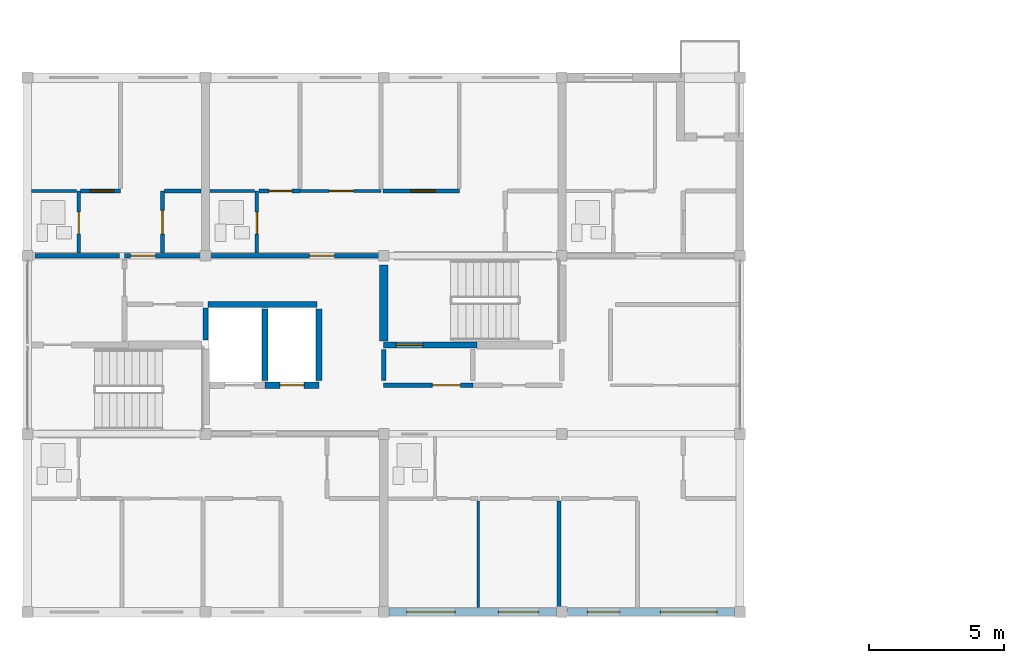
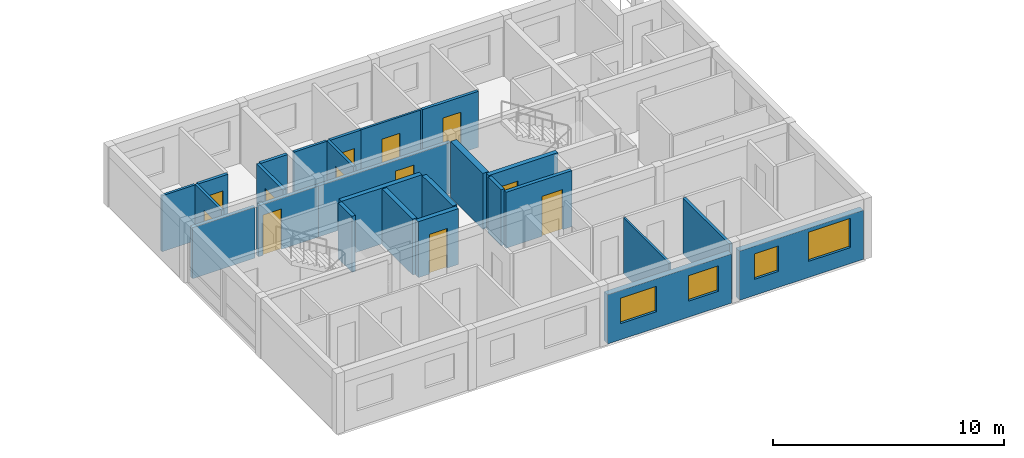
# One storey, part 25 of 45: 26 walls, 12 doors, 4 windows, 16 openings.
"""IFC4 building model written with IfcOpenShell, lengths in metres."""

from ifc_helpers import new_model, si_unit, direction, frame, frame_2d, origin, place, context, subcontext, project, spatial, rectangle, extrude, material, layer, layer_set, type_object, element, fill, save


model = new_model("IFC4")

# Units and contexts
model_context = context("Model", 3, precision=1e-05, world=origin(), true_north=direction((0.0, 1.0)))
body_context = subcontext(model_context, "Body", "Model", "MODEL_VIEW")
ifc_project = project(units=[si_unit("LENGTHUNIT", "METRE"), si_unit("AREAUNIT", "SQUARE_METRE"), si_unit("VOLUMEUNIT", "CUBIC_METRE"), si_unit("PLANEANGLEUNIT", "RADIAN"), si_unit("MASSUNIT", "GRAM", prefix="KILO")], contexts=[model_context])

# Site, building, storey
site_placement = place(None, origin())
site = spatial("IfcSite", under=ifc_project, at=site_placement, CompositionType="ELEMENT")
building_placement = place(site_placement, origin())
building = spatial("IfcBuilding", under=site, at=building_placement, Name="Kernevlak Ridge Housing Community", CompositionType="ELEMENT")
storey_placement = place(building_placement, frame((0.0, 0.0, 14.800048828125)))
storey = spatial("IfcBuildingStorey", under=building, at=storey_placement, Name="L04", CompositionType="ELEMENT", Elevation=14.800048828125)

# Wall, openings, windows
ifc_material_1 = material(Name="Concrete block masonry M10", Category="masonry")
ifc_layer_1 = layer(ifc_material_1, 0.300048828125, Name="Concrete block masonry M10")
ifc_layer_set_1 = layer_set([ifc_layer_1], Name="Concrete block masonry M10")
wall_type_1 = type_object("IfcWallType", Name="EW-01", PredefinedType="STANDARD", material=ifc_layer_set_1)
wall_1_placement = place(storey_placement, frame((29.0, 15.60009765625, 0.0), z_axis=(0.0, 0.0, 1.0), x_axis=(1.0, 0.0, 0.0)))
wall_1 = element("IfcWall", 1, at=wall_1_placement, inside=storey, type_object=wall_type_1, Name="Exterior wall EW-01 L04 769", PredefinedType="STANDARD", context=body_context, shape_type="SweptSolid", body=[
    extrude(rectangle(XDim=6.199951171875, YDim=0.300048828125, at=frame_2d((3.10009765625, 0.0))), origin(), (0.0, 0.0, 1.0), 2.599853515625),
])
opening_1_placement = place(wall_1_placement, frame((0.64990234375, 0.0, 0.85009765625)))
opening_1 = element("IfcOpeningElement", 2, at=opening_1_placement, cuts=wall_1, Name="Opening WT-03", PredefinedType="OPENING", context=body_context, shape_type="SweptSolid", body=[
    extrude(rectangle(XDim=1.800048828125, YDim=1.35009765625, at=frame_2d((0.89990234375, 0.675048828125))), frame((0.0, 0.159912109375, 0.0), z_axis=(0.0, -1.0, 0.0), x_axis=(1.0, 0.0, 0.0)), (0.0, 0.0, 1.0), 0.320068359375),
])
opening_2_placement = place(wall_1_placement, frame((4.050048828125, 0.0, 0.85009765625)))
opening_2 = element("IfcOpeningElement", 3, at=opening_2_placement, cuts=wall_1, Name="Opening WT-02", PredefinedType="OPENING", context=body_context, shape_type="SweptSolid", body=[
    extrude(rectangle(XDim=1.5, YDim=1.35009765625, at=frame_2d((0.75, 0.675048828125))), frame((0.0, 0.159912109375, 0.0), z_axis=(0.0, -1.0, 0.0), x_axis=(1.0, 0.0, 0.0)), (0.0, 0.0, 1.0), 0.320068359375),
])
ifc_material_2 = material(Name="Aluminium EN AW-6060 anodised and laminated glass", Category="aluminium")
window_type_1 = type_object("IfcWindowType", Name="WT-02", PartitioningType="SINGLE_PANEL", PredefinedType="WINDOW", material=ifc_material_2)
window_1_placement = place(opening_2_placement, origin())
window_1 = element("IfcWindow", 4, at=window_1_placement, inside=storey, type_object=window_type_1, Name="Window WT-02 L04 640", OverallHeight=1.35009765625, OverallWidth=1.5, PartitioningType="SINGLE_PANEL", PredefinedType="WINDOW", context=body_context, shape_type="SweptSolid", body=[
    extrude(rectangle(XDim=1.5, YDim=1.35009765625, at=frame_2d((0.75, 0.675048828125))), frame((0.0, 0.030029296875, 0.0), z_axis=(0.0, -1.0, 0.0), x_axis=(1.0, 0.0, 0.0)), (0.0, 0.0, 1.0), 0.06005859375),
])
fill(opening_2, window_1)
window_type_2 = type_object("IfcWindowType", Name="WT-03", PartitioningType="SINGLE_PANEL", PredefinedType="WINDOW", material=ifc_material_2)
window_2_placement = place(opening_1_placement, origin())
window_2 = element("IfcWindow", 5, at=window_2_placement, inside=storey, type_object=window_type_2, Name="Window WT-03 L04 639", OverallHeight=1.35009765625, OverallWidth=1.800048828125, PartitioningType="SINGLE_PANEL", PredefinedType="WINDOW", context=body_context, shape_type="SweptSolid", body=[
    extrude(rectangle(XDim=1.800048828125, YDim=1.35009765625, at=frame_2d((0.89990234375, 0.675048828125))), frame((0.0, 0.030029296875, 0.0), z_axis=(0.0, -1.0, 0.0), x_axis=(1.0, 0.0, 0.0)), (0.0, 0.0, 1.0), 0.06005859375),
])
fill(opening_1, window_2)

wall_2_placement = place(storey_placement, frame((35.60009765625, 15.60009765625, 0.0), z_axis=(0.0, 0.0, 1.0), x_axis=(1.0, 0.0, 0.0)))
wall_2 = element("IfcWall", 6, at=wall_2_placement, inside=storey, type_object=wall_type_1, Name="Exterior wall EW-01 L04 770", PredefinedType="STANDARD", context=body_context, shape_type="SweptSolid", body=[
    extrude(rectangle(XDim=6.199951171875, YDim=0.300048828125, at=frame_2d((3.10009765625, 0.0))), origin(), (0.0, 0.0, 1.0), 2.599853515625),
])
opening_3_placement = place(wall_2_placement, frame((0.75, 0.0, 0.85009765625)))
opening_3 = element("IfcOpeningElement", 7, at=opening_3_placement, cuts=wall_2, Name="Opening WT-01", PredefinedType="OPENING", context=body_context, shape_type="SweptSolid", body=[
    extrude(rectangle(XDim=1.199951171875, YDim=1.35009765625, at=frame_2d((0.60009765625, 0.675048828125))), frame((0.0, 0.159912109375, 0.0), z_axis=(0.0, -1.0, 0.0), x_axis=(1.0, 0.0, 0.0)), (0.0, 0.0, 1.0), 0.320068359375),
])
opening_4_placement = place(wall_2_placement, frame((3.449951171875, 0.0, 0.85009765625)))
opening_4 = element("IfcOpeningElement", 8, at=opening_4_placement, cuts=wall_2, Name="Opening WT-05", PredefinedType="OPENING", context=body_context, shape_type="SweptSolid", body=[
    extrude(rectangle(XDim=2.10009765625, YDim=1.550048828125, at=frame_2d((1.050048828125, 0.77490234375))), frame((0.0, 0.159912109375, 0.0), z_axis=(0.0, -1.0, 0.0), x_axis=(1.0, 0.0, 0.0)), (0.0, 0.0, 1.0), 0.320068359375),
])
window_type_3 = type_object("IfcWindowType", Name="WT-01", PartitioningType="SINGLE_PANEL", PredefinedType="WINDOW", material=ifc_material_2)
window_3_placement = place(opening_3_placement, origin())
window_3 = element("IfcWindow", 9, at=window_3_placement, inside=storey, type_object=window_type_3, Name="Window WT-01 L04 641", OverallHeight=1.35009765625, OverallWidth=1.199951171875, PartitioningType="SINGLE_PANEL", PredefinedType="WINDOW", context=body_context, shape_type="SweptSolid", body=[
    extrude(rectangle(XDim=1.199951171875, YDim=1.35009765625, at=frame_2d((0.60009765625, 0.675048828125))), frame((0.0, 0.030029296875, 0.0), z_axis=(0.0, -1.0, 0.0), x_axis=(1.0, 0.0, 0.0)), (0.0, 0.0, 1.0), 0.06005859375),
])
fill(opening_3, window_3)
window_type_4 = type_object("IfcWindowType", Name="WT-05", PartitioningType="SINGLE_PANEL", PredefinedType="WINDOW", material=ifc_material_2)
window_4_placement = place(opening_4_placement, origin())
window_4 = element("IfcWindow", 10, at=window_4_placement, inside=storey, type_object=window_type_4, Name="Window WT-05 L04 642", OverallHeight=1.550048828125, OverallWidth=2.10009765625, PartitioningType="SINGLE_PANEL", PredefinedType="WINDOW", context=body_context, shape_type="SweptSolid", body=[
    extrude(rectangle(XDim=2.10009765625, YDim=1.550048828125, at=frame_2d((1.050048828125, 0.77490234375))), frame((0.0, 0.030029296875, 0.0), z_axis=(0.0, -1.0, 0.0), x_axis=(1.0, 0.0, 0.0)), (0.0, 0.0, 1.0), 0.06005859375),
])
fill(opening_4, window_4)

# Wall, opening, door
ifc_material_3 = material(Name="Concrete C35/45", Category="concrete")
ifc_layer_2 = layer(ifc_material_3, 0.22509765625, Name="Concrete C35/45")
ifc_layer_set_2 = layer_set([ifc_layer_2], Name="Concrete C35/45")
wall_type_2 = type_object("IfcWallType", Name="PW-01", PredefinedType="STANDARD", material=ifc_layer_set_2)
wall_3_placement = place(storey_placement, frame((24.39990234375, 24.0, 0.0), z_axis=(0.0, 0.0, 1.0), x_axis=(1.0, 0.0, 0.0)))
wall_3 = element("IfcWall", 11, at=wall_3_placement, inside=storey, type_object=wall_type_2, Name="Interior wall PW-01 WAL-INT-L04-3180", PredefinedType="STANDARD", context=body_context, shape_type="SweptSolid", body=[
    extrude(rectangle(XDim=2.0, YDim=0.22509765625, at=frame_2d((1.0, 0.0))), origin(), (0.0, 0.0, 1.0), 2.9599609375),
])
opening_5_placement = place(wall_3_placement, frame((0.550048828125, 0.0, 0.0)))
opening_5 = element("IfcOpeningElement", 12, at=opening_5_placement, cuts=wall_3, Name="Opening LD87", PredefinedType="OPENING", context=body_context, shape_type="SweptSolid", body=[
    extrude(rectangle(XDim=0.89990234375, YDim=2.10009765625, at=frame_2d((0.449951171875, 1.050048828125))), frame((0.0, 0.12255859375, 0.0), z_axis=(0.0, -1.0, 0.0), x_axis=(1.0, 0.0, 0.0)), (0.0, 0.0, 1.0), 0.2451171875),
])
ifc_material_4 = material(Name="Stainless steel EN 1.4401", Category="steel")
door_type_1 = type_object("IfcDoorType", Name="DT-LD2", OperationType="DOUBLE_DOOR_SLIDING", PredefinedType="DOOR", material=ifc_material_4)
door_1_placement = place(opening_5_placement, origin())
door_1 = element("IfcDoor", 13, at=door_1_placement, inside=storey, type_object=door_type_1, Name="Lift LF-D2 landing door LD87", OperationType="DOUBLE_DOOR_SLIDING", OverallHeight=2.10009765625, OverallWidth=0.89990234375, PredefinedType="DOOR", context=body_context, shape_type="SweptSolid", body=[
    extrude(rectangle(XDim=0.89990234375, YDim=2.10009765625, at=frame_2d((0.449951171875, 1.050048828125))), frame((0.0, 0.02490234375, 0.0), z_axis=(0.0, -1.0, 0.0), x_axis=(1.0, 0.0, 0.0)), (0.0, 0.0, 1.0), 0.050048828125),
])
fill(opening_5, door_1)

# Walls
wall_4_placement = place(storey_placement, frame((22.297607421875, 27.0, 0.0), z_axis=(0.0, 0.0, 1.0), x_axis=(1.0, 0.0, 0.0)))
element("IfcWall", 14, at=wall_4_placement, inside=storey, type_object=wall_type_2, Name="Interior wall PW-01 WAL-INT-L04-3181", PredefinedType="STANDARD", context=body_context, shape_type="SweptSolid", body=[
    extrude(rectangle(XDim=4.0224609375, YDim=0.22509765625, at=frame_2d((2.01123046875, 0.0))), origin(), (0.0, 0.0, 1.0), 2.9599609375),
])
for number, where, z_axis, x_axis, name in (
    (15, (24.39990234375, 24.179931640625, 0.0), (0.0, 0.0, 1.0), (0.0, 1.0, 0.0), "Interior wall PW-01 WAL-INT-L04-3183"),
    (16, (26.39990234375, 24.179931640625, 0.0), (0.0, 0.0, 1.0), (0.0, 1.0, 0.0), "Interior wall PW-01 WAL-INT-L04-3184"),
):
    element("IfcWall", number, at=place(storey_placement, frame(where, z_axis=z_axis, x_axis=x_axis)), inside=storey, type_object=wall_type_2, Name=name, PredefinedType="STANDARD", context=body_context, shape_type="SweptSolid", body=[
        extrude(rectangle(XDim=2.64013671875, YDim=0.22509765625, at=frame_2d((1.320068359375, 0.0))), origin(), (0.0, 0.0, 1.0), 2.9599609375),
    ])

# Wall, opening, door
wall_5_placement = place(storey_placement, frame((28.800048828125, 25.5, 0.0), z_axis=(0.0, 0.0, 1.0), x_axis=(1.0, 0.0, 0.0)))
wall_5 = element("IfcWall", 17, at=wall_5_placement, inside=storey, type_object=wall_type_2, Name="Interior wall PW-01 WAL-INT-L04-3185", PredefinedType="STANDARD", context=body_context, shape_type="SweptSolid", body=[
    extrude(rectangle(XDim=3.449951171875, YDim=0.22509765625, at=frame_2d((1.72509765625, 0.0))), origin(), (0.0, 0.0, 1.0), 2.9599609375),
])
opening_6_placement = place(wall_5_placement, frame((0.449951171875, 0.0, 0.0)))
opening_6 = element("IfcOpeningElement", 18, at=opening_6_placement, cuts=wall_5, Name="Opening E614", PredefinedType="OPENING", context=body_context, shape_type="SweptSolid", body=[
    extrude(rectangle(XDim=1.0, YDim=2.159912109375, at=frame_2d((0.5, 1.080078125))), frame((0.0, 0.12255859375, 0.0), z_axis=(0.0, -1.0, 0.0), x_axis=(1.0, 0.0, 0.0)), (0.0, 0.0, 1.0), 0.2451171875),
])
ifc_material_5 = material(Name="Fire-rated sheet steel leaf", Category="steel")
door_type_2 = type_object("IfcDoorType", Name="DT-15", OperationType="NOTDEFINED", PredefinedType="DOOR", material=ifc_material_5)
door_2_placement = place(opening_6_placement, origin())
door_2 = element("IfcDoor", 19, at=door_2_placement, inside=storey, type_object=door_type_2, Name="Block D Stair 2 fire door E614", OperationType="SINGLE_SWING_LEFT", OverallHeight=2.159912109375, OverallWidth=1.0, PredefinedType="DOOR", context=body_context, shape_type="SweptSolid", body=[
    extrude(rectangle(XDim=1.0, YDim=2.159912109375, at=frame_2d((0.5, 1.080078125))), frame((0.0, 0.02490234375, 0.0), z_axis=(0.0, -1.0, 0.0), x_axis=(1.0, 0.0, 0.0)), (0.0, 0.0, 1.0), 0.050048828125),
])
fill(opening_6, door_2)

# Wall
ifc_layer_3 = layer(ifc_material_1, 0.175048828125, Name="Concrete block masonry M10")
ifc_layer_set_3 = layer_set([ifc_layer_3], Name="Concrete block masonry M10")
wall_type_3 = type_object("IfcWallType", Name="PW-02", PredefinedType="PARTITIONING", material=ifc_layer_set_3)
wall_6_placement = place(storey_placement, frame((22.199951171875, 25.679931640625, 0.0), z_axis=(0.0, 0.0, 1.0), x_axis=(0.0, 1.0, 0.0)))
element("IfcWall", 20, at=wall_6_placement, inside=storey, type_object=wall_type_3, Name="Interior wall PW-02 WAL-INT-L04-3178", PredefinedType="PARTITIONING", context=body_context, shape_type="SweptSolid", body=[
    extrude(rectangle(XDim=1.190185546875, YDim=0.175048828125, at=frame_2d((0.59521484375, 0.0))), origin(), (0.0, 0.0, 1.0), 2.9599609375),
])

# Wall, opening, door
wall_7_placement = place(storey_placement, frame((28.800048828125, 24.0, 0.0), z_axis=(0.0, 0.0, 1.0), x_axis=(1.0, 0.0, 0.0)))
wall_7 = element("IfcWall", 21, at=wall_7_placement, inside=storey, type_object=wall_type_3, Name="Interior wall PW-02 WAL-INT-L04-3186", PredefinedType="PARTITIONING", context=body_context, shape_type="SweptSolid", body=[
    extrude(rectangle(XDim=3.300048828125, YDim=0.175048828125, at=frame_2d((1.64990234375, 0.0))), origin(), (0.0, 0.0, 1.0), 2.9599609375),
])
opening_7_placement = place(wall_7_placement, frame((1.800048828125, 0.0, 0.0)))
opening_7 = element("IfcOpeningElement", 22, at=opening_7_placement, cuts=wall_7, Name="Opening E615", PredefinedType="OPENING", context=body_context, shape_type="SweptSolid", body=[
    extrude(rectangle(XDim=1.0400390625, YDim=2.1201171875, at=frame_2d((0.52001953125, 1.06005859375))), frame((0.0, 0.097412109375, 0.0), z_axis=(0.0, -1.0, 0.0), x_axis=(1.0, 0.0, 0.0)), (0.0, 0.0, 1.0), 0.195068359375),
])
door_type_3 = type_object("IfcDoorType", Name="DT-16", OperationType="NOTDEFINED", PredefinedType="DOOR", material=ifc_material_5)
door_3_placement = place(opening_7_placement, origin())
door_3 = element("IfcDoor", 23, at=door_3_placement, inside=storey, type_object=door_type_3, Name="Block D Firefighting lobby 2 door E615", OperationType="SINGLE_SWING_RIGHT", OverallHeight=2.1201171875, OverallWidth=1.0400390625, PredefinedType="DOOR", context=body_context, shape_type="SweptSolid", body=[
    extrude(rectangle(XDim=1.0400390625, YDim=2.1201171875, at=frame_2d((0.52001953125, 1.06005859375))), frame((0.0, 0.02490234375, 0.0), z_axis=(0.0, -1.0, 0.0), x_axis=(1.0, 0.0, 0.0)), (0.0, 0.0, 1.0), 0.050048828125),
])
fill(opening_7, door_3)

# Walls
wall_8_placement = place(storey_placement, frame((28.800048828125, 24.179931640625, 0.0), z_axis=(0.0, 0.0, 1.0), x_axis=(0.0, 1.0, 0.0)))
element("IfcWall", 24, at=wall_8_placement, inside=storey, type_object=wall_type_3, Name="Interior wall PW-02 WAL-INT-L04-3188", PredefinedType="PARTITIONING", context=body_context, shape_type="SweptSolid", body=[
    extrude(rectangle(XDim=1.14013671875, YDim=0.175048828125, at=frame_2d((0.570068359375, 0.0))), origin(), (0.0, 0.0, 1.0), 2.9599609375),
])
wall_9_placement = place(storey_placement, frame((15.8798828125, 28.800048828125, 0.0), z_axis=(0.0, 0.0, 1.0), x_axis=(1.0, 0.0, 0.0)))
element("IfcWall", 25, at=wall_9_placement, inside=storey, type_object=wall_type_3, Name="Interior wall PW-02 WAL-INT-L04-3216", PredefinedType="PARTITIONING", context=body_context, shape_type="SweptSolid", body=[
    extrude(rectangle(XDim=3.14013671875, YDim=0.175048828125, at=frame_2d((1.570068359375, 0.0))), origin(), (0.0, 0.0, 1.0), 2.699951171875),
])

# Wall, opening, door
wall_10_placement = place(storey_placement, frame((19.199951171875, 28.800048828125, 0.0), z_axis=(0.0, 0.0, 1.0), x_axis=(1.0, 0.0, 0.0)))
wall_10 = element("IfcWall", 26, at=wall_10_placement, inside=storey, type_object=wall_type_3, Name="Interior wall PW-02 WAL-INT-L04-3217", PredefinedType="PARTITIONING", context=body_context, shape_type="SweptSolid", body=[
    extrude(rectangle(XDim=3.0, YDim=0.175048828125, at=frame_2d((1.5, 0.0))), origin(), (0.0, 0.0, 1.0), 2.699951171875),
])
opening_8_placement = place(wall_10_placement, frame((0.219970703125, 0.0, 0.0)))
opening_8 = element("IfcOpeningElement", 27, at=opening_8_placement, cuts=wall_10, Name="Opening E630", PredefinedType="OPENING", context=body_context, shape_type="SweptSolid", body=[
    extrude(rectangle(XDim=0.919921875, YDim=2.139892578125, at=frame_2d((0.4599609375, 1.06982421875))), frame((0.0, 0.097412109375, 0.0), z_axis=(0.0, -1.0, 0.0), x_axis=(1.0, 0.0, 0.0)), (0.0, 0.0, 1.0), 0.195068359375),
])
ifc_material_6 = material(Name="Hardwood timber solid-core fire leaf", Category="wood")
door_type_4 = type_object("IfcDoorType", Name="DT-20", OperationType="NOTDEFINED", PredefinedType="DOOR", material=ifc_material_6)
door_4_placement = place(opening_8_placement, origin())
door_4 = element("IfcDoor", 28, at=door_4_placement, inside=storey, type_object=door_type_4, Name="Flat D0421 entrance fire door E630", OperationType="SINGLE_SWING_LEFT", OverallHeight=2.139892578125, OverallWidth=0.919921875, PredefinedType="DOOR", context=body_context, shape_type="SweptSolid", body=[
    extrude(rectangle(XDim=0.919921875, YDim=2.139892578125, at=frame_2d((0.4599609375, 1.06982421875))), frame((0.0, 0.02490234375, 0.0), z_axis=(0.0, -1.0, 0.0), x_axis=(1.0, 0.0, 0.0)), (0.0, 0.0, 1.0), 0.050048828125),
])
fill(opening_8, door_4)

wall_11_placement = place(storey_placement, frame((22.199951171875, 28.800048828125, 0.0), z_axis=(0.0, 0.0, 1.0), x_axis=(1.0, 0.0, 0.0)))
wall_11 = element("IfcWall", 29, at=wall_11_placement, inside=storey, type_object=wall_type_3, Name="Interior wall PW-02 WAL-INT-L04-3224", PredefinedType="PARTITIONING", context=body_context, shape_type="SweptSolid", body=[
    extrude(rectangle(XDim=6.60009765625, YDim=0.175048828125, at=frame_2d((3.300048828125, 0.0))), origin(), (0.0, 0.0, 1.0), 2.699951171875),
])
opening_9_placement = place(wall_11_placement, frame((3.85009765625, 0.0, 0.0)))
opening_9 = element("IfcOpeningElement", 30, at=opening_9_placement, cuts=wall_11, Name="Opening E634", PredefinedType="OPENING", context=body_context, shape_type="SweptSolid", body=[
    extrude(rectangle(XDim=0.919921875, YDim=2.139892578125, at=frame_2d((0.4599609375, 1.06982421875))), frame((0.0, 0.097412109375, 0.0), z_axis=(0.0, -1.0, 0.0), x_axis=(1.0, 0.0, 0.0)), (0.0, 0.0, 1.0), 0.195068359375),
])
door_5_placement = place(opening_9_placement, origin())
door_5 = element("IfcDoor", 31, at=door_5_placement, inside=storey, type_object=door_type_4, Name="Flat D0422 entrance fire door E634", OperationType="SINGLE_SWING_LEFT", OverallHeight=2.139892578125, OverallWidth=0.919921875, PredefinedType="DOOR", context=body_context, shape_type="SweptSolid", body=[
    extrude(rectangle(XDim=0.919921875, YDim=2.139892578125, at=frame_2d((0.4599609375, 1.06982421875))), frame((0.0, 0.02490234375, 0.0), z_axis=(0.0, -1.0, 0.0), x_axis=(1.0, 0.0, 0.0)), (0.0, 0.0, 1.0), 0.050048828125),
])
fill(opening_9, door_5)

# Wall
ifc_layer_4 = layer(ifc_material_1, 0.14501953125, Name="Concrete block masonry M10")
ifc_layer_set_4 = layer_set([ifc_layer_4], Name="Concrete block masonry M10")
wall_type_4 = type_object("IfcWallType", Name="PW-03", PredefinedType="PARTITIONING", material=ifc_layer_set_4)
wall_12_placement = place(storey_placement, frame((35.300048828125, 19.717529296875, 0.0), z_axis=(0.0, 0.0, 1.0), x_axis=(0.0, -1.0, 0.0)))
element("IfcWall", 32, at=wall_12_placement, inside=storey, type_object=wall_type_4, Name="Interior wall PW-03 WAL-INT-L04-3213", PredefinedType="PARTITIONING", context=body_context, shape_type="SweptSolid", body=[
    extrude(rectangle(XDim=4.03759765625, YDim=0.14501953125, at=frame_2d((2.018798828125, 0.0))), origin(), (0.0, 0.0, 1.0), 2.9599609375),
])

# Wall, opening, door
wall_13_placement = place(storey_placement, frame((17.572509765625, 31.199951171875, 0.0), z_axis=(0.0, 0.0, 1.0), x_axis=(1.0, 0.0, 0.0)))
wall_13 = element("IfcWall", 33, at=wall_13_placement, inside=storey, type_object=wall_type_4, Name="Interior wall PW-03 WAL-INT-L04-3222", PredefinedType="PARTITIONING", context=body_context, shape_type="SweptSolid", body=[
    extrude(rectangle(XDim=1.4775390625, YDim=0.14501953125, at=frame_2d((0.73876953125, 0.0))), origin(), (0.0, 0.0, 1.0), 2.9599609375),
])
opening_10_placement = place(wall_13_placement, frame((0.35009765625, 0.0, 0.0)))
opening_10 = element("IfcOpeningElement", 34, at=opening_10_placement, cuts=wall_13, Name="Opening E633", PredefinedType="OPENING", context=body_context, shape_type="SweptSolid", body=[
    extrude(rectangle(XDim=0.8798828125, YDim=2.159912109375, at=frame_2d((0.43994140625, 1.080078125))), frame((0.0, 0.08251953125, 0.0), z_axis=(0.0, -1.0, 0.0), x_axis=(1.0, 0.0, 0.0)), (0.0, 0.0, 1.0), 0.1650390625),
])
ifc_material_7 = material(Name="Hardwood timber leaf", Category="wood")
door_type_5 = type_object("IfcDoorType", Name="DT-26", OperationType="NOTDEFINED", PredefinedType="DOOR", material=ifc_material_7)
door_6_placement = place(opening_10_placement, origin())
door_6 = element("IfcDoor", 35, at=door_6_placement, inside=storey, type_object=door_type_5, Name="Flat D0421 bedroom door E633", OperationType="SINGLE_SWING_RIGHT", OverallHeight=2.159912109375, OverallWidth=0.8798828125, PredefinedType="DOOR", context=body_context, shape_type="SweptSolid", body=[
    extrude(rectangle(XDim=0.8798828125, YDim=2.159912109375, at=frame_2d((0.43994140625, 1.080078125))), frame((0.0, 0.02490234375, 0.0), z_axis=(0.0, -1.0, 0.0), x_axis=(1.0, 0.0, 0.0)), (0.0, 0.0, 1.0), 0.050048828125),
])
fill(opening_10, door_6)

wall_14_placement = place(storey_placement, frame((24.172607421875, 31.199951171875, 0.0), z_axis=(0.0, 0.0, 1.0), x_axis=(1.0, 0.0, 0.0)))
wall_14 = element("IfcWall", 36, at=wall_14_placement, inside=storey, type_object=wall_type_4, Name="Interior wall PW-03 WAL-INT-L04-3229", PredefinedType="PARTITIONING", context=body_context, shape_type="SweptSolid", body=[
    extrude(rectangle(XDim=1.52734375, YDim=0.14501953125, at=frame_2d((0.763671875, 0.0))), origin(), (0.0, 0.0, 1.0), 2.9599609375),
])
opening_11_placement = place(wall_14_placement, frame((0.375, 0.0, 0.0)))
opening_11 = element("IfcOpeningElement", 37, at=opening_11_placement, cuts=wall_14, Name="Opening E637", PredefinedType="OPENING", context=body_context, shape_type="SweptSolid", body=[
    extrude(rectangle(XDim=0.85009765625, YDim=2.10009765625, at=frame_2d((0.425048828125, 1.050048828125))), frame((0.0, 0.08251953125, 0.0), z_axis=(0.0, -1.0, 0.0), x_axis=(1.0, 0.0, 0.0)), (0.0, 0.0, 1.0), 0.1650390625),
])
door_type_6 = type_object("IfcDoorType", Name="DT-03", OperationType="NOTDEFINED", PredefinedType="DOOR", material=ifc_material_7)
door_7_placement = place(opening_11_placement, origin())
door_7 = element("IfcDoor", 38, at=door_7_placement, inside=storey, type_object=door_type_6, Name="Flat D0422 bedroom door E637", OperationType="SINGLE_SWING_RIGHT", OverallHeight=2.10009765625, OverallWidth=0.85009765625, PredefinedType="DOOR", context=body_context, shape_type="SweptSolid", body=[
    extrude(rectangle(XDim=0.85009765625, YDim=2.10009765625, at=frame_2d((0.425048828125, 1.050048828125))), frame((0.0, 0.02490234375, 0.0), z_axis=(0.0, -1.0, 0.0), x_axis=(1.0, 0.0, 0.0)), (0.0, 0.0, 1.0), 0.050048828125),
])
fill(opening_11, door_7)

wall_15_placement = place(storey_placement, frame((28.782470703125, 31.199951171875, 0.0), z_axis=(0.0, 0.0, 1.0), x_axis=(1.0, 0.0, 0.0)))
wall_15 = element("IfcWall", 39, at=wall_15_placement, inside=storey, type_object=wall_type_4, Name="Interior wall PW-03 WAL-INT-L04-3233", PredefinedType="PARTITIONING", context=body_context, shape_type="SweptSolid", body=[
    extrude(rectangle(XDim=2.817626953125, YDim=0.14501953125, at=frame_2d((1.40869140625, 0.0))), origin(), (0.0, 0.0, 1.0), 2.9599609375),
])
opening_12_placement = place(wall_15_placement, frame((1.02490234375, 0.0, 0.0)))
opening_12 = element("IfcOpeningElement", 40, at=opening_12_placement, cuts=wall_15, Name="Opening E639", PredefinedType="OPENING", context=body_context, shape_type="SweptSolid", body=[
    extrude(rectangle(XDim=0.89990234375, YDim=2.159912109375, at=frame_2d((0.449951171875, 1.080078125))), frame((0.0, 0.08251953125, 0.0), z_axis=(0.0, -1.0, 0.0), x_axis=(1.0, 0.0, 0.0)), (0.0, 0.0, 1.0), 0.1650390625),
])
door_type_7 = type_object("IfcDoorType", Name="DT-22", OperationType="NOTDEFINED", PredefinedType="DOOR", material=ifc_material_7)
door_8_placement = place(opening_12_placement, origin())
door_8 = element("IfcDoor", 41, at=door_8_placement, inside=storey, type_object=door_type_7, Name="Flat D0422 bedroom door E639", OperationType="SINGLE_SWING_RIGHT", OverallHeight=2.159912109375, OverallWidth=0.89990234375, PredefinedType="DOOR", context=body_context, shape_type="SweptSolid", body=[
    extrude(rectangle(XDim=0.89990234375, YDim=2.159912109375, at=frame_2d((0.449951171875, 1.080078125))), frame((0.0, 0.02490234375, 0.0), z_axis=(0.0, -1.0, 0.0), x_axis=(1.0, 0.0, 0.0)), (0.0, 0.0, 1.0), 0.050048828125),
])
fill(opening_12, door_8)

ifc_material_8 = material(Name="Gypsum plasterboard EN 520", Category="gypsum")
ifc_layer_5 = layer(ifc_material_8, 0.125, Name="Gypsum plasterboard EN 520")
ifc_layer_set_5 = layer_set([ifc_layer_5], Name="Gypsum plasterboard EN 520")
wall_type_5 = type_object("IfcWallType", Name="PW-04", PredefinedType="PARTITIONING", material=ifc_layer_set_5)
wall_16_placement = place(storey_placement, frame((17.5, 28.8974609375, 0.0), z_axis=(0.0, 0.0, 1.0), x_axis=(0.0, 1.0, 0.0)))
wall_16 = element("IfcWall", 42, at=wall_16_placement, inside=storey, type_object=wall_type_5, Name="Interior wall PW-04 WAL-INT-L04-3218", PredefinedType="PARTITIONING", context=body_context, shape_type="SweptSolid", body=[
    extrude(rectangle(XDim=2.302490234375, YDim=0.125, at=frame_2d((1.1513671875, 0.0))), origin(), (0.0, 0.0, 1.0), 2.9599609375),
])
opening_13_placement = place(wall_16_placement, frame((0.699951171875, 0.0, 0.0)))
opening_13 = element("IfcOpeningElement", 43, at=opening_13_placement, cuts=wall_16, Name="Opening E631", PredefinedType="OPENING", context=body_context, shape_type="SweptSolid", body=[
    extrude(rectangle(XDim=0.820068359375, YDim=2.050048828125, at=frame_2d((0.41015625, 1.02490234375))), frame((0.0, 0.072509765625, 0.0), z_axis=(0.0, -1.0, 0.0), x_axis=(1.0, 0.0, 0.0)), (0.0, 0.0, 1.0), 0.14501953125),
])
ifc_material_9 = material(Name="Hardwood timber moisture-resistant leaf", Category="wood")
door_type_8 = type_object("IfcDoorType", Name="DT-30", OperationType="NOTDEFINED", PredefinedType="DOOR", material=ifc_material_9)
door_9_placement = place(opening_13_placement, origin())
door_9 = element("IfcDoor", 44, at=door_9_placement, inside=storey, type_object=door_type_8, Name="Flat D0421 bathroom door E631", OperationType="SINGLE_SWING_RIGHT", OverallHeight=2.050048828125, OverallWidth=0.820068359375, PredefinedType="DOOR", context=body_context, shape_type="SweptSolid", body=[
    extrude(rectangle(XDim=0.820068359375, YDim=2.050048828125, at=frame_2d((0.41015625, 1.02490234375))), frame((0.0, 0.02490234375, 0.0), z_axis=(0.0, -1.0, 0.0), x_axis=(1.0, 0.0, 0.0)), (0.0, 0.0, 1.0), 0.050048828125),
])
fill(opening_13, door_9)

# Wall
wall_17_placement = place(storey_placement, frame((15.760009765625, 31.199951171875, 0.0), z_axis=(0.0, 0.0, 1.0), x_axis=(1.0, 0.0, 0.0)))
element("IfcWall", 45, at=wall_17_placement, inside=storey, type_object=wall_type_5, Name="Interior wall PW-04 WAL-INT-L04-3219", PredefinedType="PARTITIONING", context=body_context, shape_type="SweptSolid", body=[
    extrude(rectangle(XDim=1.659912109375, YDim=0.125, at=frame_2d((0.830078125, 0.0))), origin(), (0.0, 0.0, 1.0), 2.9599609375),
])

# Wall, opening, door
wall_18_placement = place(storey_placement, frame((24.10009765625, 28.8974609375, 0.0), z_axis=(0.0, 0.0, 1.0), x_axis=(0.0, 1.0, 0.0)))
wall_18 = element("IfcWall", 46, at=wall_18_placement, inside=storey, type_object=wall_type_5, Name="Interior wall PW-04 WAL-INT-L04-3225", PredefinedType="PARTITIONING", context=body_context, shape_type="SweptSolid", body=[
    extrude(rectangle(XDim=2.302490234375, YDim=0.125, at=frame_2d((1.1513671875, 0.0))), origin(), (0.0, 0.0, 1.0), 2.9599609375),
])
opening_14_placement = place(wall_18_placement, frame((0.699951171875, 0.0, 0.0)))
opening_14 = element("IfcOpeningElement", 47, at=opening_14_placement, cuts=wall_18, Name="Opening E635", PredefinedType="OPENING", context=body_context, shape_type="SweptSolid", body=[
    extrude(rectangle(XDim=0.820068359375, YDim=2.050048828125, at=frame_2d((0.41015625, 1.02490234375))), frame((0.0, 0.072509765625, 0.0), z_axis=(0.0, -1.0, 0.0), x_axis=(1.0, 0.0, 0.0)), (0.0, 0.0, 1.0), 0.14501953125),
])
door_10_placement = place(opening_14_placement, origin())
door_10 = element("IfcDoor", 48, at=door_10_placement, inside=storey, type_object=door_type_8, Name="Flat D0422 bathroom door E635", OperationType="SINGLE_SWING_RIGHT", OverallHeight=2.050048828125, OverallWidth=0.820068359375, PredefinedType="DOOR", context=body_context, shape_type="SweptSolid", body=[
    extrude(rectangle(XDim=0.820068359375, YDim=2.050048828125, at=frame_2d((0.41015625, 1.02490234375))), frame((0.0, 0.02490234375, 0.0), z_axis=(0.0, -1.0, 0.0), x_axis=(1.0, 0.0, 0.0)), (0.0, 0.0, 1.0), 0.050048828125),
])
fill(opening_14, door_10)

# Wall
wall_19_placement = place(storey_placement, frame((22.360107421875, 31.199951171875, 0.0), z_axis=(0.0, 0.0, 1.0), x_axis=(1.0, 0.0, 0.0)))
element("IfcWall", 49, at=wall_19_placement, inside=storey, type_object=wall_type_5, Name="Interior wall PW-04 WAL-INT-L04-3226", PredefinedType="PARTITIONING", context=body_context, shape_type="SweptSolid", body=[
    extrude(rectangle(XDim=1.659912109375, YDim=0.125, at=frame_2d((0.830078125, 0.0))), origin(), (0.0, 0.0, 1.0), 2.9599609375),
])

# Wall, opening, door
ifc_layer_6 = layer(ifc_material_8, 0.155029296875, Name="Gypsum plasterboard EN 520")
ifc_layer_set_6 = layer_set([ifc_layer_6], Name="Gypsum plasterboard EN 520")
wall_type_6 = type_object("IfcWallType", Name="PW-05", PredefinedType="PARTITIONING", material=ifc_layer_set_6)
wall_20_placement = place(storey_placement, frame((20.60009765625, 28.8974609375, 0.0), z_axis=(0.0, 0.0, 1.0), x_axis=(0.0, 1.0, 0.0)))
wall_20 = element("IfcWall", 50, at=wall_20_placement, inside=storey, type_object=wall_type_6, Name="Interior wall PW-05 WAL-INT-L04-3220", PredefinedType="PARTITIONING", context=body_context, shape_type="SweptSolid", body=[
    extrude(rectangle(XDim=2.302490234375, YDim=0.155029296875, at=frame_2d((1.1513671875, 0.0))), origin(), (0.0, 0.0, 1.0), 2.9599609375),
])
opening_15_placement = place(wall_20_placement, frame((0.699951171875, 0.0, 0.0)))
opening_15 = element("IfcOpeningElement", 51, at=opening_15_placement, cuts=wall_20, Name="Opening E632", PredefinedType="OPENING", context=body_context, shape_type="SweptSolid", body=[
    extrude(rectangle(XDim=0.8798828125, YDim=2.10009765625, at=frame_2d((0.43994140625, 1.050048828125))), frame((0.0, 0.08740234375, 0.0), z_axis=(0.0, -1.0, 0.0), x_axis=(1.0, 0.0, 0.0)), (0.0, 0.0, 1.0), 0.175048828125),
])
door_type_9 = type_object("IfcDoorType", Name="DT-25", OperationType="NOTDEFINED", PredefinedType="DOOR", material=ifc_material_7)
door_11_placement = place(opening_15_placement, origin())
door_11 = element("IfcDoor", 52, at=door_11_placement, inside=storey, type_object=door_type_9, Name="Flat D0421 kitchen door E632", OperationType="SINGLE_SWING_LEFT", OverallHeight=2.10009765625, OverallWidth=0.8798828125, PredefinedType="DOOR", context=body_context, shape_type="SweptSolid", body=[
    extrude(rectangle(XDim=0.8798828125, YDim=2.10009765625, at=frame_2d((0.43994140625, 1.050048828125))), frame((0.0, 0.02490234375, 0.0), z_axis=(0.0, -1.0, 0.0), x_axis=(1.0, 0.0, 0.0)), (0.0, 0.0, 1.0), 0.050048828125),
])
fill(opening_15, door_11)

# Walls
wall_21_placement = place(storey_placement, frame((20.6875, 31.199951171875, 0.0), z_axis=(0.0, 0.0, 1.0), x_axis=(1.0, 0.0, 0.0)))
element("IfcWall", 53, at=wall_21_placement, inside=storey, type_object=wall_type_6, Name="Interior wall PW-05 WAL-INT-L04-3221", PredefinedType="PARTITIONING", context=body_context, shape_type="SweptSolid", body=[
    extrude(rectangle(XDim=1.3525390625, YDim=0.155029296875, at=frame_2d((0.67626953125, 0.0))), origin(), (0.0, 0.0, 1.0), 2.9599609375),
])
ifc_layer_7 = layer(ifc_material_8, 0.10498046875, Name="Gypsum plasterboard EN 520")
ifc_layer_set_7 = layer_set([ifc_layer_7], Name="Gypsum plasterboard EN 520")
wall_type_7 = type_object("IfcWallType", Name="PW-06", PredefinedType="PARTITIONING", material=ifc_layer_set_7)
wall_22_placement = place(storey_placement, frame((32.300048828125, 19.717529296875, 0.0), z_axis=(0.0, 0.0, 1.0), x_axis=(0.0, -1.0, 0.0)))
element("IfcWall", 54, at=wall_22_placement, inside=storey, type_object=wall_type_7, Name="Interior wall PW-06 WAL-INT-L04-3211", PredefinedType="PARTITIONING", context=body_context, shape_type="SweptSolid", body=[
    extrude(rectangle(XDim=3.95751953125, YDim=0.10498046875, at=frame_2d((1.978759765625, 0.0))), origin(), (0.0, 0.0, 1.0), 2.9599609375),
])

# Wall, opening, door
wall_23_placement = place(storey_placement, frame((25.699951171875, 31.199951171875, 0.0), z_axis=(0.0, 0.0, 1.0), x_axis=(1.0, 0.0, 0.0)))
wall_23 = element("IfcWall", 55, at=wall_23_placement, inside=storey, type_object=wall_type_7, Name="Interior wall PW-06 WAL-INT-L04-3231", PredefinedType="PARTITIONING", context=body_context, shape_type="SweptSolid", body=[
    extrude(rectangle(XDim=3.0, YDim=0.10498046875, at=frame_2d((1.5, 0.0))), origin(), (0.0, 0.0, 1.0), 2.9599609375),
])
opening_16_placement = place(wall_23_placement, frame((1.074951171875, 0.0, 0.0)))
opening_16 = element("IfcOpeningElement", 56, at=opening_16_placement, cuts=wall_23, Name="Opening E638", PredefinedType="OPENING", context=body_context, shape_type="SweptSolid", body=[
    extrude(rectangle(XDim=0.89990234375, YDim=2.10009765625, at=frame_2d((0.449951171875, 1.050048828125))), frame((0.0, 0.0625, 0.0), z_axis=(0.0, -1.0, 0.0), x_axis=(1.0, 0.0, 0.0)), (0.0, 0.0, 1.0), 0.125),
])
door_type_10 = type_object("IfcDoorType", Name="DT-21", OperationType="NOTDEFINED", PredefinedType="DOOR", material=ifc_material_7)
door_12_placement = place(opening_16_placement, origin())
door_12 = element("IfcDoor", 57, at=door_12_placement, inside=storey, type_object=door_type_10, Name="Flat D0422 bedroom door E638", OperationType="SINGLE_SWING_LEFT", OverallHeight=2.10009765625, OverallWidth=0.89990234375, PredefinedType="DOOR", context=body_context, shape_type="SweptSolid", body=[
    extrude(rectangle(XDim=0.89990234375, YDim=2.10009765625, at=frame_2d((0.449951171875, 1.050048828125))), frame((0.0, 0.02490234375, 0.0), z_axis=(0.0, -1.0, 0.0), x_axis=(1.0, 0.0, 0.0)), (0.0, 0.0, 1.0), 0.050048828125),
])
fill(opening_16, door_12)

# Wall
ifc_material_10 = material(Name="Concrete C40/50", Category="concrete")
ifc_layer_8 = layer(ifc_material_10, 0.300048828125, Name="Concrete C40/50")
ifc_layer_set_8 = layer_set([ifc_layer_8], Name="Concrete C40/50")
wall_type_8 = type_object("IfcWallType", Name="SW-02", PredefinedType="SHEAR", material=ifc_layer_set_8)
wall_24_placement = place(storey_placement, frame((28.800048828125, 25.64990234375, 0.0), z_axis=(0.0, 0.0, 1.0), x_axis=(0.0, 1.0, 0.0)))
element("IfcWall", 58, at=wall_24_placement, inside=storey, type_object=wall_type_8, Name="Shear wall SW-02 Block D L04 552", PredefinedType="SHEAR", context=body_context, shape_type="SweptSolid", body=[
    extrude(rectangle(XDim=2.800048828125, YDim=0.300048828125, at=frame_2d((1.39990234375, 0.0))), origin(), (0.0, 0.0, 1.0), 2.9599609375),
])

save(model, "model.ifc")
